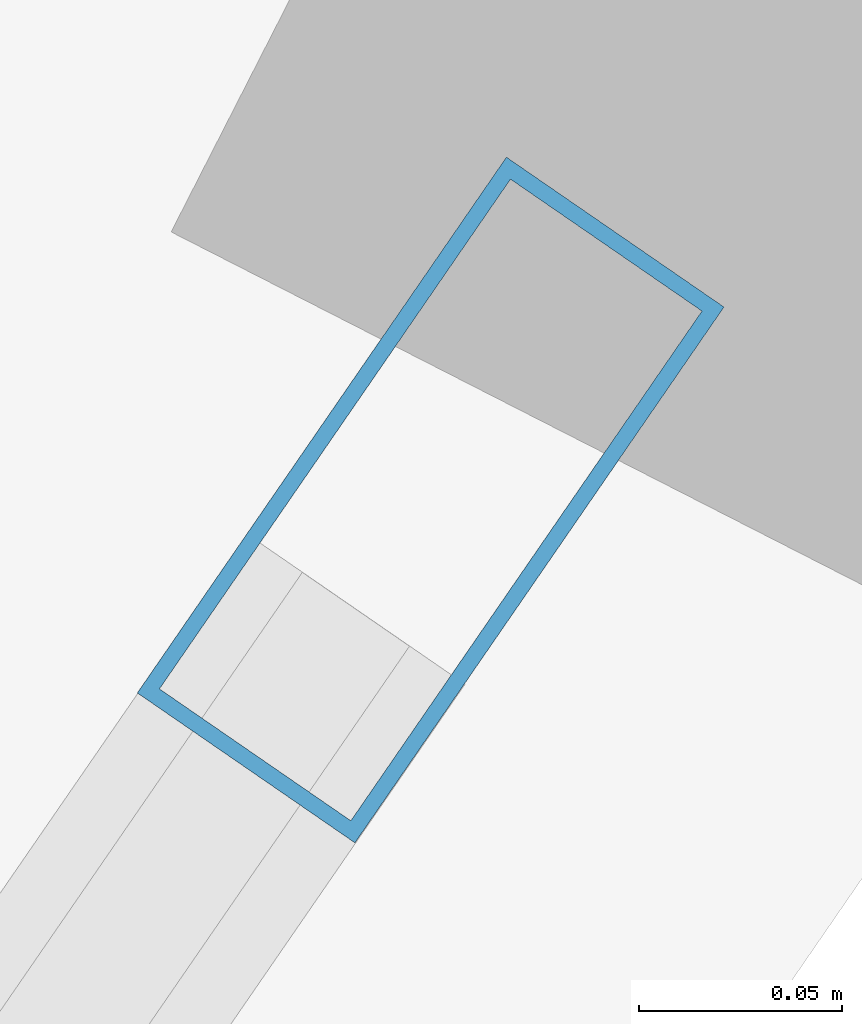
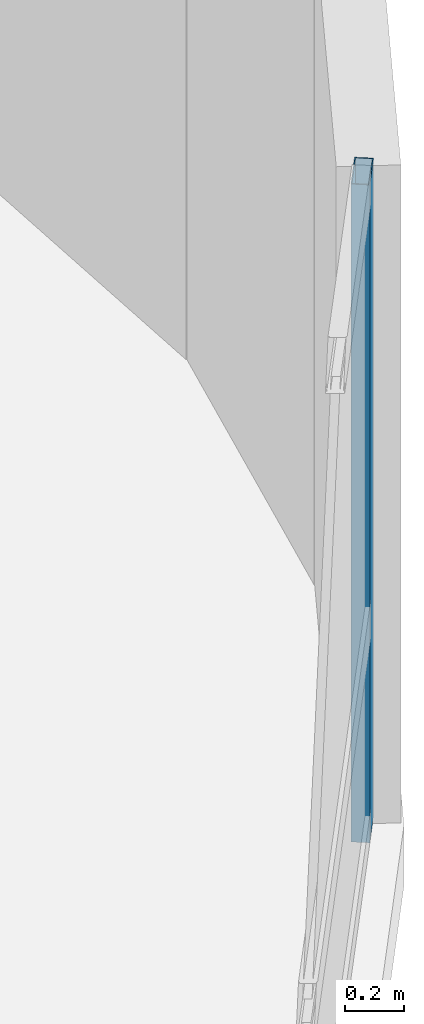
# One storey, part 11 of 25: 1 member, 1 element without a shape of its own.
"""IFC4 building model written with IfcOpenShell, lengths in metres."""

from ifc_helpers import new_model, si_unit, direction, frame, origin, origin_2d, place, context, subcontext, project, spatial, hollow_rectangle, extrude, material, layer, layer_set, material_profile, profile_set, type_object, element, aggregate, save


model = new_model("IFC4")

# Units and contexts
model_context = context("Model", 3, precision=1e-05, world=origin(), true_north=direction((0.0, 1.0)))
body_context = subcontext(model_context, "Body", "Model", "MODEL_VIEW")
ifc_project = project(units=[si_unit("LENGTHUNIT", "METRE"), si_unit("AREAUNIT", "SQUARE_METRE"), si_unit("VOLUMEUNIT", "CUBIC_METRE"), si_unit("PLANEANGLEUNIT", "RADIAN"), si_unit("MASSUNIT", "GRAM", prefix="KILO")], contexts=[model_context])

# Site, building, storey
site_placement = place(None, origin())
site = spatial("IfcSite", under=ifc_project, at=site_placement, CompositionType="ELEMENT")
building_placement = place(site_placement, origin())
building = spatial("IfcBuilding", under=site, at=building_placement, Name="Varnelok Gate Tower", CompositionType="ELEMENT")
storey_placement = place(building_placement, frame((0.0, 0.0, 56.60009765625)))
storey = spatial("IfcBuildingStorey", under=building, at=storey_placement, Name="L13", CompositionType="ELEMENT", Elevation=56.60009765625)

# Curtain wall, member
ifc_material = material(Name="Anodized Aluminum Alloy 6063-T6", Category="aluminium")
ifc_layer = layer(ifc_material, 0.179931640625)
ifc_layer_set = layer_set([ifc_layer], Name="Anodized Aluminum Alloy 6063-T6")
curtain_wall_type = type_object("IfcCurtainWallType", Name="CW3-HOTEL-VISION", PredefinedType="USERDEFINED", material=ifc_layer_set)
curtain_wall_placement = place(storey_placement, origin())
curtain_wall = element("IfcCurtainWall", 1, at=curtain_wall_placement, inside=storey, type_object=curtain_wall_type, Name="L13 East End Vision Curtain Wall", ObjectType="UNITISED CURTAIN WALL", PredefinedType="USERDEFINED")
ifc_material_profile = material_profile(ifc_material, hollow_rectangle(XDim=0.06494140625, YDim=0.159912109375, WallThickness=0.00390625, at=origin_2d()), Name="ALU160X65X4")
ifc_profile_set = profile_set([ifc_material_profile], Name="Anodized Aluminum Alloy 6063-T6")
member_type = type_object("IfcMemberType", Name="CW-MULL-160", PredefinedType="MULLION", material=ifc_profile_set)
member_placement = place(storey_placement, frame((82.52392578125, 19.33935546875, 0.0), z_axis=(0.0, 0.0, 1.0), x_axis=(0.823532685111, -0.567268822124, 0.0)))
member = element("IfcMember", 2, at=member_placement, type_object=member_type, Name="CW3 mullion 1", PredefinedType="MULLION", context=body_context, shape_type="SweptSolid", body=[
    extrude(hollow_rectangle(XDim=0.06494140625, YDim=0.159912109375, WallThickness=0.00390625, at=origin_2d()), origin(), (0.0, 0.0, 1.0), 2.72998046875),
])
aggregate(curtain_wall, [member])

save(model, "model.ifc")
